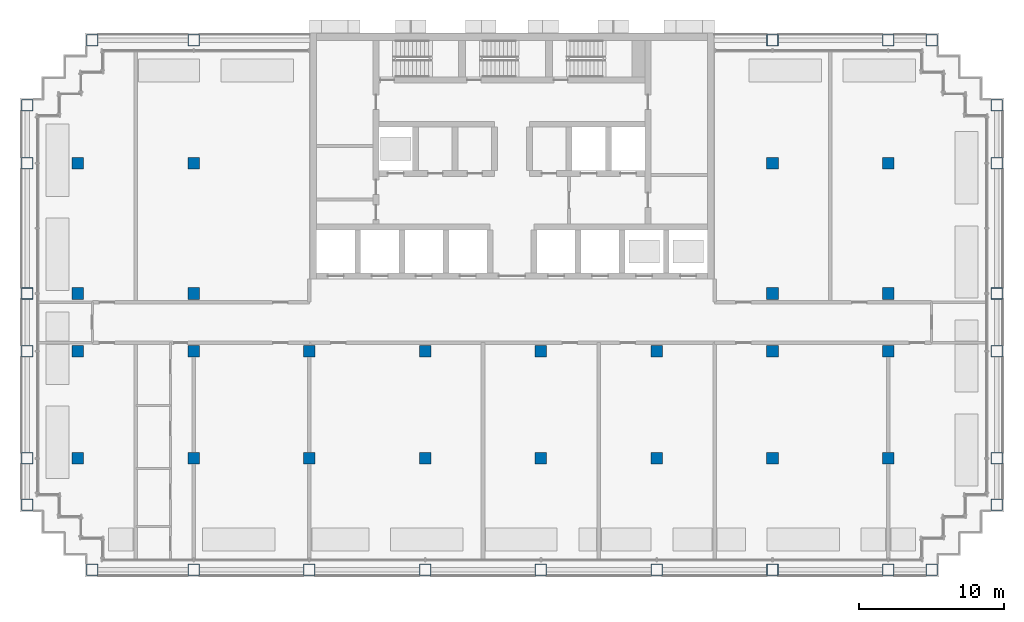
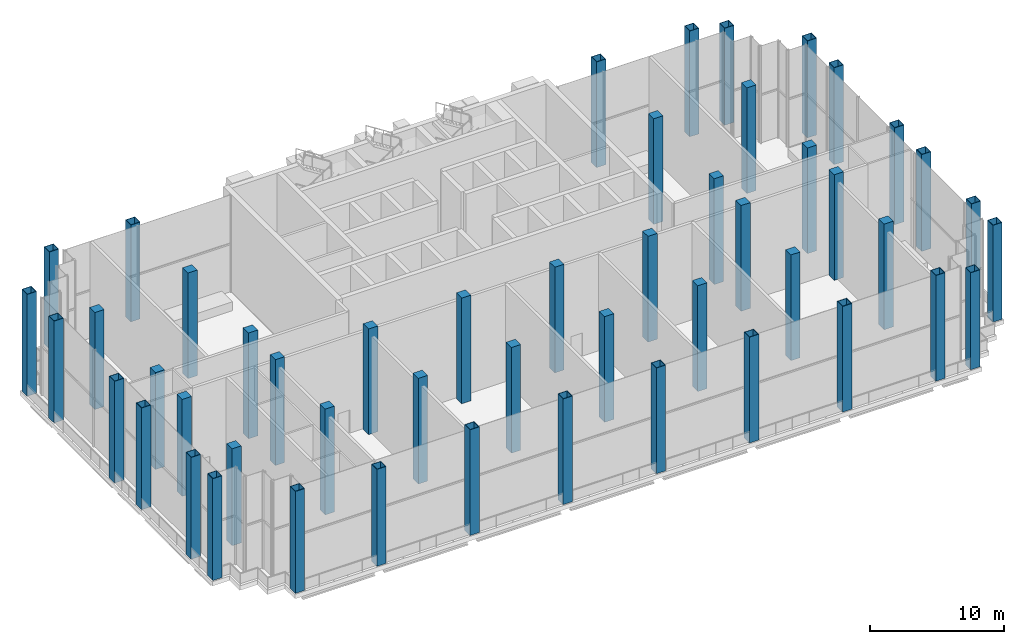
# One storey, part 1 of 16: 50 columns.
"""IFC4 building model written with IfcOpenShell, lengths in metres."""

from ifc_helpers import new_model, si_unit, direction, frame, origin, origin_2d, place, context, subcontext, project, spatial, rectangle, hollow_rectangle, extrude, material, material_profile, profile_set, type_object, element, save


model = new_model("IFC4")

# Units and contexts
model_context = context("Model", 3, precision=1e-05, world=origin(), true_north=direction((0.0, 1.0)))
body_context = subcontext(model_context, "Body", "Model", "MODEL_VIEW")
ifc_project = project(units=[si_unit("LENGTHUNIT", "METRE"), si_unit("AREAUNIT", "SQUARE_METRE"), si_unit("VOLUMEUNIT", "CUBIC_METRE"), si_unit("PLANEANGLEUNIT", "RADIAN"), si_unit("MASSUNIT", "GRAM", prefix="KILO")], contexts=[model_context])

# Site, building, storey
site_placement = place(None, origin())
site = spatial("IfcSite", under=ifc_project, at=site_placement, CompositionType="ELEMENT")
building_placement = place(site_placement, origin())
building = spatial("IfcBuilding", under=site, at=building_placement, Name="Vidyagriha Tower", CompositionType="ELEMENT")
storey_placement = place(building_placement, frame((0.0, 0.0, 151.800048828125)))
storey = spatial("IfcBuildingStorey", under=building, at=storey_placement, Name="L40", CompositionType="ELEMENT", Elevation=151.800048828125)

# Columns
ifc_material_1 = material(Name="Steel ASTM A572 Grade 50", Category="steel")
ifc_material_profile_1 = material_profile(ifc_material_1, hollow_rectangle(XDim=0.800048828125, YDim=0.800048828125, WallThickness=0.0400390625, at=origin_2d()), Name="BOX 800x800x40")
ifc_profile_set_1 = profile_set([ifc_material_profile_1], Name="Steel ASTM A572 Grade 50")
column_type_1 = type_object("IfcColumnType", Name="Exoskeleton column BOX 800x800x40", PredefinedType="COLUMN", material=ifc_profile_set_1)
column_1_placement = place(storey_placement, frame((-29.0, -17.10009765625, 0.0)))
element("IfcColumn", 1, at=column_1_placement, inside=storey, type_object=column_type_1, Name="st-col-L40-B3-001", PredefinedType="COLUMN", context=body_context, shape_type="SweptSolid", body=[
    extrude(hollow_rectangle(XDim=0.800048828125, YDim=0.800048828125, WallThickness=0.0400390625, at=origin_2d()), origin(), (0.0, 0.0, 1.0), 9.25),
])
column_2_placement = place(storey_placement, frame((-22.0, -17.10009765625, 0.0)))
element("IfcColumn", 2, at=column_2_placement, inside=storey, type_object=column_type_1, Name="st-col-L40-B3-002", PredefinedType="COLUMN", context=body_context, shape_type="SweptSolid", body=[
    extrude(hollow_rectangle(XDim=0.800048828125, YDim=0.800048828125, WallThickness=0.0400390625, at=origin_2d()), origin(), (0.0, 0.0, 1.0), 8.800048828125),
])
for number, where, name in (
    (3, (-14.0, -17.10009765625, 0.0), "st-col-L40-B3-003"),
    (4, (-6.0, -17.10009765625, 0.0), "st-col-L40-B3-004"),
    (5, (2.0, -17.10009765625, 0.0), "st-col-L40-B3-005"),
    (6, (10.0, -17.10009765625, 0.0), "st-col-L40-B3-006"),
    (7, (18.0, -17.10009765625, 0.0), "st-col-L40-B3-007"),
    (8, (26.0, -17.10009765625, 0.0), "st-col-L40-B3-008"),
):
    element("IfcColumn", number, at=place(storey_placement, frame(where)), inside=storey, type_object=column_type_1, Name=name, PredefinedType="COLUMN", context=body_context, shape_type="SweptSolid", body=[
        extrude(hollow_rectangle(XDim=0.800048828125, YDim=0.800048828125, WallThickness=0.0400390625, at=origin_2d()), origin(), (0.0, 0.0, 1.0), 9.599853515625),
    ])
column_3_placement = place(storey_placement, frame((29.0, -17.10009765625, 0.0)))
element("IfcColumn", 9, at=column_3_placement, inside=storey, type_object=column_type_1, Name="st-col-L40-B3-009", PredefinedType="COLUMN", context=body_context, shape_type="SweptSolid", body=[
    extrude(hollow_rectangle(XDim=0.800048828125, YDim=0.800048828125, WallThickness=0.0400390625, at=origin_2d()), origin(), (0.0, 0.0, 1.0), 8.800048828125),
])
column_4_placement = place(storey_placement, frame((-33.5, -12.60009765625, 0.0)))
element("IfcColumn", 10, at=column_4_placement, inside=storey, type_object=column_type_1, Name="st-col-L40-B3-010", PredefinedType="COLUMN", context=body_context, shape_type="SweptSolid", body=[
    extrude(hollow_rectangle(XDim=0.800048828125, YDim=0.800048828125, WallThickness=0.0400390625, at=origin_2d()), origin(), (0.0, 0.0, 1.0), 9.25),
])
column_5_placement = place(storey_placement, frame((33.5, -12.60009765625, 0.0)))
element("IfcColumn", 11, at=column_5_placement, inside=storey, type_object=column_type_1, Name="st-col-L40-B3-011", PredefinedType="COLUMN", context=body_context, shape_type="SweptSolid", body=[
    extrude(hollow_rectangle(XDim=0.800048828125, YDim=0.800048828125, WallThickness=0.0400390625, at=origin_2d()), origin(), (0.0, 0.0, 1.0), 8.800048828125),
])
column_6_placement = place(storey_placement, frame((-33.5, -9.39990234375, 0.0)))
element("IfcColumn", 12, at=column_6_placement, inside=storey, type_object=column_type_1, Name="st-col-L40-B3-012", PredefinedType="COLUMN", context=body_context, shape_type="SweptSolid", body=[
    extrude(hollow_rectangle(XDim=0.800048828125, YDim=0.800048828125, WallThickness=0.0400390625, at=origin_2d()), origin(), (0.0, 0.0, 1.0), 9.25),
])
column_7_placement = place(storey_placement, frame((33.5, -9.39990234375, 0.0)))
element("IfcColumn", 13, at=column_7_placement, inside=storey, type_object=column_type_1, Name="st-col-L40-B3-021", PredefinedType="COLUMN", context=body_context, shape_type="SweptSolid", body=[
    extrude(hollow_rectangle(XDim=0.800048828125, YDim=0.800048828125, WallThickness=0.0400390625, at=origin_2d()), origin(), (0.0, 0.0, 1.0), 8.800048828125),
])
column_8_placement = place(storey_placement, frame((-33.5, -2.0, 0.0)))
element("IfcColumn", 14, at=column_8_placement, inside=storey, type_object=column_type_1, Name="st-col-L40-B3-022", PredefinedType="COLUMN", context=body_context, shape_type="SweptSolid", body=[
    extrude(hollow_rectangle(XDim=0.800048828125, YDim=0.800048828125, WallThickness=0.0400390625, at=origin_2d()), origin(), (0.0, 0.0, 1.0), 9.25),
])
column_9_placement = place(storey_placement, frame((33.5, -2.0, 0.0)))
element("IfcColumn", 15, at=column_9_placement, inside=storey, type_object=column_type_1, Name="st-col-L40-B3-031", PredefinedType="COLUMN", context=body_context, shape_type="SweptSolid", body=[
    extrude(hollow_rectangle(XDim=0.800048828125, YDim=0.800048828125, WallThickness=0.0400390625, at=origin_2d()), origin(), (0.0, 0.0, 1.0), 8.800048828125),
])
column_10_placement = place(storey_placement, frame((-33.5, 2.0, 0.0)))
element("IfcColumn", 16, at=column_10_placement, inside=storey, type_object=column_type_1, Name="st-col-L40-B3-032", PredefinedType="COLUMN", context=body_context, shape_type="SweptSolid", body=[
    extrude(hollow_rectangle(XDim=0.800048828125, YDim=0.800048828125, WallThickness=0.0400390625, at=origin_2d()), origin(), (0.0, 0.0, 1.0), 9.25),
])
column_11_placement = place(storey_placement, frame((33.5, 2.0, 0.0)))
element("IfcColumn", 17, at=column_11_placement, inside=storey, type_object=column_type_1, Name="st-col-L40-B3-037", PredefinedType="COLUMN", context=body_context, shape_type="SweptSolid", body=[
    extrude(hollow_rectangle(XDim=0.800048828125, YDim=0.800048828125, WallThickness=0.0400390625, at=origin_2d()), origin(), (0.0, 0.0, 1.0), 8.800048828125),
])
column_12_placement = place(storey_placement, frame((-33.5, 11.0, 0.0)))
element("IfcColumn", 18, at=column_12_placement, inside=storey, type_object=column_type_1, Name="st-col-L40-B3-038", PredefinedType="COLUMN", context=body_context, shape_type="SweptSolid", body=[
    extrude(hollow_rectangle(XDim=0.800048828125, YDim=0.800048828125, WallThickness=0.0400390625, at=origin_2d()), origin(), (0.0, 0.0, 1.0), 9.25),
])
column_13_placement = place(storey_placement, frame((33.5, 11.0, 0.0)))
element("IfcColumn", 19, at=column_13_placement, inside=storey, type_object=column_type_1, Name="st-col-L40-B3-043", PredefinedType="COLUMN", context=body_context, shape_type="SweptSolid", body=[
    extrude(hollow_rectangle(XDim=0.800048828125, YDim=0.800048828125, WallThickness=0.0400390625, at=origin_2d()), origin(), (0.0, 0.0, 1.0), 8.800048828125),
])
column_14_placement = place(storey_placement, frame((-33.5, 15.0, 0.0)))
element("IfcColumn", 20, at=column_14_placement, inside=storey, type_object=column_type_1, Name="st-col-L40-B3-044", PredefinedType="COLUMN", context=body_context, shape_type="SweptSolid", body=[
    extrude(hollow_rectangle(XDim=0.800048828125, YDim=0.800048828125, WallThickness=0.0400390625, at=origin_2d()), origin(), (0.0, 0.0, 1.0), 9.25),
])
for number, where, name in (
    (21, (33.5, 15.0, 0.0), "st-col-L40-B3-045"),
    (22, (-29.0, 19.5, 0.0), "st-col-L40-B3-046"),
    (23, (-22.0, 19.5, 0.0), "st-col-L40-B3-047"),
):
    element("IfcColumn", number, at=place(storey_placement, frame(where)), inside=storey, type_object=column_type_1, Name=name, PredefinedType="COLUMN", context=body_context, shape_type="SweptSolid", body=[
        extrude(hollow_rectangle(XDim=0.800048828125, YDim=0.800048828125, WallThickness=0.0400390625, at=origin_2d()), origin(), (0.0, 0.0, 1.0), 8.800048828125),
    ])
for number, where, name in (
    (24, (18.0, 19.5, 0.0), "st-col-L40-B3-048"),
    (25, (26.0, 19.5, 0.0), "st-col-L40-B3-049"),
):
    element("IfcColumn", number, at=place(storey_placement, frame(where)), inside=storey, type_object=column_type_1, Name=name, PredefinedType="COLUMN", context=body_context, shape_type="SweptSolid", body=[
        extrude(hollow_rectangle(XDim=0.800048828125, YDim=0.800048828125, WallThickness=0.0400390625, at=origin_2d()), origin(), (0.0, 0.0, 1.0), 9.599853515625),
    ])
column_15_placement = place(storey_placement, frame((29.0, 19.5, 0.0)))
element("IfcColumn", 26, at=column_15_placement, inside=storey, type_object=column_type_1, Name="st-col-L40-B3-050", PredefinedType="COLUMN", context=body_context, shape_type="SweptSolid", body=[
    extrude(hollow_rectangle(XDim=0.800048828125, YDim=0.800048828125, WallThickness=0.0400390625, at=origin_2d()), origin(), (0.0, 0.0, 1.0), 8.800048828125),
])
ifc_material_2 = material(Name="Concrete C80/95", Category="concrete")
ifc_material_profile_2 = material_profile(ifc_material_2, rectangle(XDim=0.800048828125, YDim=0.800048828125, at=origin_2d()), Name="RC 800x800")
ifc_profile_set_2 = profile_set([ifc_material_profile_2], Name="Concrete C80/95")
column_type_2 = type_object("IfcColumnType", Name="Frame column RC 800x800", PredefinedType="COLUMN", material=ifc_profile_set_2)
column_16_placement = place(storey_placement, frame((-30.0, -9.39990234375, 0.0)))
element("IfcColumn", 27, at=column_16_placement, inside=storey, type_object=column_type_2, Name="st-col-L40-B3-013", PredefinedType="COLUMN", context=body_context, shape_type="SweptSolid", body=[
    extrude(rectangle(XDim=0.800048828125, YDim=0.800048828125, at=origin_2d()), origin(), (0.0, 0.0, 1.0), 8.800048828125),
])
for number, where, name in (
    (28, (-22.0, -9.39990234375, 0.0), "st-col-L40-B3-014"),
    (29, (-14.0, -9.39990234375, 0.0), "st-col-L40-B3-015"),
    (30, (-6.0, -9.39990234375, 0.0), "st-col-L40-B3-016"),
    (31, (2.0, -9.39990234375, 0.0), "st-col-L40-B3-017"),
    (32, (10.0, -9.39990234375, 0.0), "st-col-L40-B3-018"),
    (33, (18.0, -9.39990234375, 0.0), "st-col-L40-B3-019"),
    (34, (26.0, -9.39990234375, 0.0), "st-col-L40-B3-020"),
):
    element("IfcColumn", number, at=place(storey_placement, frame(where)), inside=storey, type_object=column_type_2, Name=name, PredefinedType="COLUMN", context=body_context, shape_type="SweptSolid", body=[
        extrude(rectangle(XDim=0.800048828125, YDim=0.800048828125, at=origin_2d()), origin(), (0.0, 0.0, 1.0), 9.599853515625),
    ])
column_17_placement = place(storey_placement, frame((-30.0, -2.0, 0.0)))
element("IfcColumn", 35, at=column_17_placement, inside=storey, type_object=column_type_2, Name="st-col-L40-B3-023", PredefinedType="COLUMN", context=body_context, shape_type="SweptSolid", body=[
    extrude(rectangle(XDim=0.800048828125, YDim=0.800048828125, at=origin_2d()), origin(), (0.0, 0.0, 1.0), 8.800048828125),
])
for number, where, name in (
    (36, (-22.0, -2.0, 0.0), "st-col-L40-B3-024"),
    (37, (-14.0, -2.0, 0.0), "st-col-L40-B3-025"),
    (38, (-6.0, -2.0, 0.0), "st-col-L40-B3-026"),
    (39, (2.0, -2.0, 0.0), "st-col-L40-B3-027"),
    (40, (10.0, -2.0, 0.0), "st-col-L40-B3-028"),
    (41, (18.0, -2.0, 0.0), "st-col-L40-B3-029"),
    (42, (26.0, -2.0, 0.0), "st-col-L40-B3-030"),
):
    element("IfcColumn", number, at=place(storey_placement, frame(where)), inside=storey, type_object=column_type_2, Name=name, PredefinedType="COLUMN", context=body_context, shape_type="SweptSolid", body=[
        extrude(rectangle(XDim=0.800048828125, YDim=0.800048828125, at=origin_2d()), origin(), (0.0, 0.0, 1.0), 9.599853515625),
    ])
column_18_placement = place(storey_placement, frame((-30.0, 2.0, 0.0)))
element("IfcColumn", 43, at=column_18_placement, inside=storey, type_object=column_type_2, Name="st-col-L40-B3-033", PredefinedType="COLUMN", context=body_context, shape_type="SweptSolid", body=[
    extrude(rectangle(XDim=0.800048828125, YDim=0.800048828125, at=origin_2d()), origin(), (0.0, 0.0, 1.0), 8.800048828125),
])
for number, where, name in (
    (44, (-22.0, 2.0, 0.0), "st-col-L40-B3-034"),
    (45, (18.0, 2.0, 0.0), "st-col-L40-B3-035"),
    (46, (26.0, 2.0, 0.0), "st-col-L40-B3-036"),
):
    element("IfcColumn", number, at=place(storey_placement, frame(where)), inside=storey, type_object=column_type_2, Name=name, PredefinedType="COLUMN", context=body_context, shape_type="SweptSolid", body=[
        extrude(rectangle(XDim=0.800048828125, YDim=0.800048828125, at=origin_2d()), origin(), (0.0, 0.0, 1.0), 9.599853515625),
    ])
column_19_placement = place(storey_placement, frame((-30.0, 11.0, 0.0)))
element("IfcColumn", 47, at=column_19_placement, inside=storey, type_object=column_type_2, Name="st-col-L40-B3-039", PredefinedType="COLUMN", context=body_context, shape_type="SweptSolid", body=[
    extrude(rectangle(XDim=0.800048828125, YDim=0.800048828125, at=origin_2d()), origin(), (0.0, 0.0, 1.0), 8.800048828125),
])
for number, where, name in (
    (48, (-22.0, 11.0, 0.0), "st-col-L40-B3-040"),
    (49, (18.0, 11.0, 0.0), "st-col-L40-B3-041"),
    (50, (26.0, 11.0, 0.0), "st-col-L40-B3-042"),
):
    element("IfcColumn", number, at=place(storey_placement, frame(where)), inside=storey, type_object=column_type_2, Name=name, PredefinedType="COLUMN", context=body_context, shape_type="SweptSolid", body=[
        extrude(rectangle(XDim=0.800048828125, YDim=0.800048828125, at=origin_2d()), origin(), (0.0, 0.0, 1.0), 9.599853515625),
    ])

save(model, "model.ifc")
